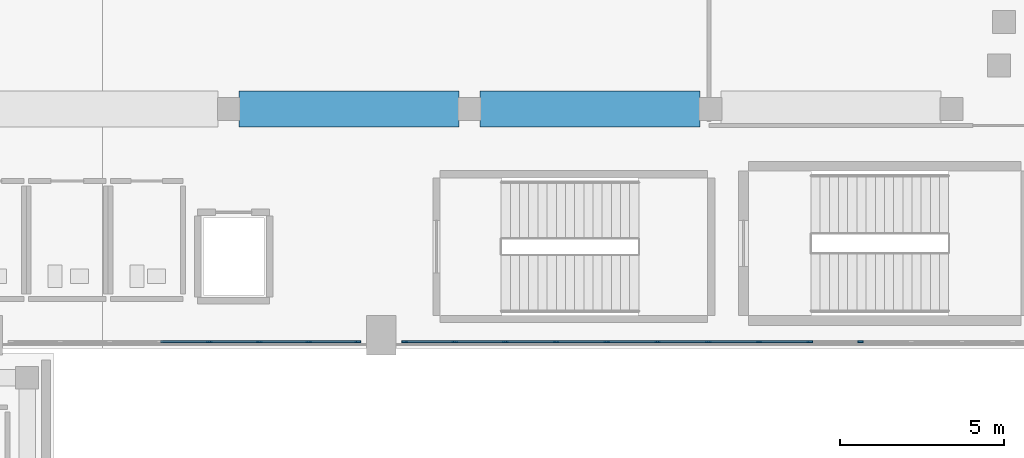
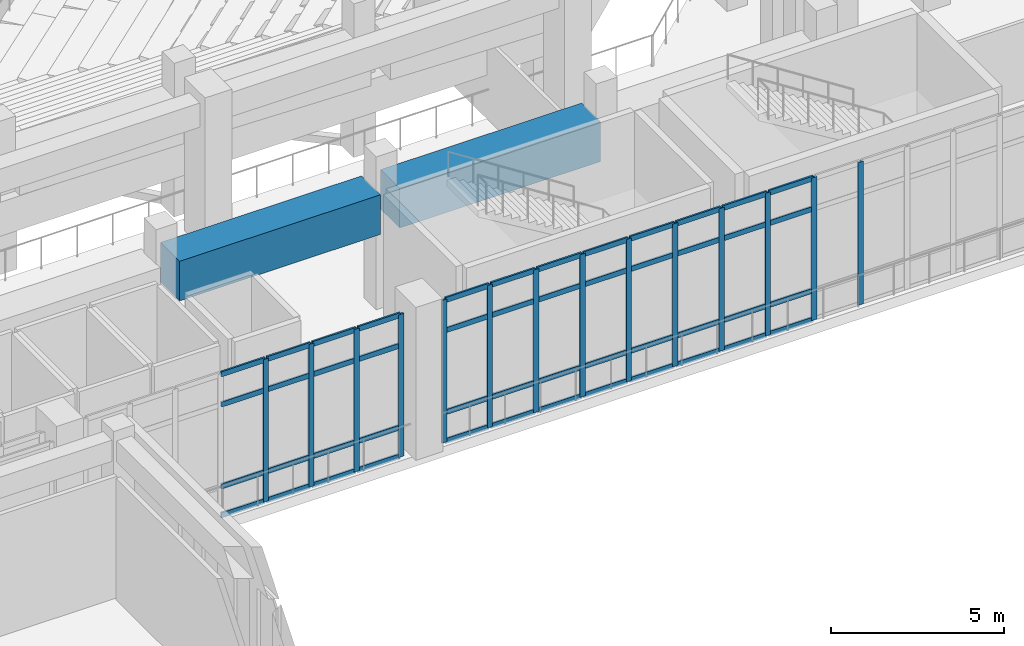
# One storey, part 32 of 159: 62 members, 2 beams, 2 elements without a shape of their own.
"""IFC4 building model written with IfcOpenShell, lengths in metres."""

from ifc_helpers import new_model, si_unit, derived_unit, direction, frame, origin, origin_2d, place, context, subcontext, project, spatial, rectangle, extrude, material, layer, layer_set, material_profile, profile_set, type_object, element, aggregate, save


model = new_model("IFC4")

# Units and contexts
model_context = context("Model", 3, precision=1e-05, world=origin(), true_north=direction((0.0, 1.0)))
body_context = subcontext(model_context, "Body", "Model", "MODEL_VIEW")
ifc_project = project(units=[si_unit("LENGTHUNIT", "METRE"), si_unit("AREAUNIT", "SQUARE_METRE"), si_unit("VOLUMEUNIT", "CUBIC_METRE"), si_unit("PLANEANGLEUNIT", "RADIAN"), si_unit("MASSUNIT", "GRAM", prefix="KILO"), derived_unit("THERMALTRANSMITTANCEUNIT", [(si_unit("MASSUNIT", "GRAM", prefix="KILO"), 1), (si_unit("TIMEUNIT", "SECOND"), -3), (si_unit("THERMODYNAMICTEMPERATUREUNIT", "KELVIN"), -1)])], contexts=[model_context])

# Site, building, storey
site_placement = place(None, origin())
site = spatial("IfcSite", under=ifc_project, at=site_placement, CompositionType="ELEMENT")
building_placement = place(site_placement, origin())
building = spatial("IfcBuilding", under=site, at=building_placement, Name="Valcora Ridge Arena", CompositionType="ELEMENT")
storey_placement = place(building_placement, frame((0.0, 0.0, 6.0)))
storey = spatial("IfcBuildingStorey", under=building, at=storey_placement, Name="L01", CompositionType="ELEMENT", Elevation=6.0)

# Beams
ifc_material_1 = material(Name="Concrete C45/55", Category="concrete")
ifc_material_profile_1 = material_profile(ifc_material_1, rectangle(XDim=1.10009765625, YDim=1.39990234375, at=origin_2d()), Name="RC 1100x1400")
ifc_profile_set_1 = profile_set([ifc_material_profile_1], Name="Concrete C45/55")
beam_type = type_object("IfcBeamType", Name="TY-BEAM-RKR-URING-1200", PredefinedType="USERDEFINED", material=ifc_profile_set_1)
for number, where, z_axis, x_axis, name in (
    (1, (65.669921875, 27.300048828125, 3.47509765625), (1.0, 0.0, 0.0), (0.0, 1.0, 0.0), "RKR-URING-1200 BEM-RU2-RKR-URING-1200-0006"),
    (2, (73.02001953125, 27.300048828125, 3.47509765625), (1.0, 0.0, 0.0), (0.0, 1.0, 0.0), "RKR-URING-1200 BEM-RU2-RKR-URING-1200-0007"),
):
    element("IfcBeam", number, at=place(storey_placement, frame(where, z_axis=z_axis, x_axis=x_axis)), inside=storey, type_object=beam_type, Name=name, ObjectType="RAKER", PredefinedType="USERDEFINED", context=body_context, shape_type="SweptSolid", body=[
        extrude(rectangle(XDim=1.10009765625, YDim=1.39990234375, at=origin_2d()), origin(), (0.0, 0.0, 1.0), 6.7099609375),
    ])

# Curtain wall, members
ifc_material_2 = material(Name="Anodised dark bronze architectural aluminium 6063-T6", Category="aluminium")
ifc_layer_1 = layer(ifc_material_2, 0.179931640625, Name="Anodised dark bronze architectural aluminium 6063-T6")
ifc_layer_set_1 = layer_set([ifc_layer_1], Name="Anodised dark bronze architectural aluminium 6063-T6")
curtain_wall_type_1 = type_object("IfcCurtainWallType", Name="TY-CURTAINWALL-CW-V1-GOTH-106X50", PredefinedType="NOTDEFINED", material=ifc_layer_set_1)
curtain_wall_1_placement = place(storey_placement, origin())
curtain_wall_1 = element("IfcCurtainWall", 3, at=curtain_wall_1_placement, inside=storey, type_object=curtain_wall_type_1, Name="CW-V1-GOTH-106X50 CW-0099", PredefinedType="NOTDEFINED")
ifc_material_profile_2 = material_profile(ifc_material_2, rectangle(XDim=0.06005859375, YDim=0.179931640625, at=origin_2d()), Name="ALU MULLION 60x180")
ifc_profile_set_2 = profile_set([ifc_material_profile_2], Name="Anodised dark bronze architectural aluminium 6063-T6")
member_type_1 = type_object("IfcMemberType", Name="TY-MEM-CWM-60x180", PredefinedType="MULLION", material=ifc_profile_set_2)
member_1_placement = place(storey_placement, frame((64.758544921875, 20.199951171875, 0.0), z_axis=(0.0, 0.0, 1.0), x_axis=(0.0, 1.0, 0.0)))
member_1 = element("IfcMember", 4, at=member_1_placement, type_object=member_type_1, Name="CW-0099/CWM-60x180/M04", PredefinedType="MULLION", context=body_context, shape_type="SweptSolid", body=[
    extrude(rectangle(XDim=0.06005859375, YDim=0.179931640625, at=origin_2d()), origin(), (0.0, 0.0, 1.0), 5.0400390625),
])
member_2_placement = place(storey_placement, frame((66.275634765625, 20.199951171875, 0.0), z_axis=(0.0, 0.0, 1.0), x_axis=(0.0, 1.0, 0.0)))
member_2 = element("IfcMember", 5, at=member_2_placement, type_object=member_type_1, Name="CW-0099/CWM-60x180/M05", PredefinedType="MULLION", context=body_context, shape_type="SweptSolid", body=[
    extrude(rectangle(XDim=0.06005859375, YDim=0.179931640625, at=origin_2d()), origin(), (0.0, 0.0, 1.0), 5.0400390625),
])
member_3_placement = place(storey_placement, frame((67.79296875, 20.199951171875, 0.0), z_axis=(0.0, 0.0, 1.0), x_axis=(0.0, 1.0, 0.0)))
member_3 = element("IfcMember", 6, at=member_3_placement, type_object=member_type_1, Name="CW-0099/CWM-60x180/M06", PredefinedType="MULLION", context=body_context, shape_type="SweptSolid", body=[
    extrude(rectangle(XDim=0.06005859375, YDim=0.179931640625, at=origin_2d()), origin(), (0.0, 0.0, 1.0), 5.0400390625),
])
member_4_placement = place(storey_placement, frame((69.280029296875, 20.199951171875, 0.0), z_axis=(0.0, 0.0, 1.0), x_axis=(0.0, 1.0, 0.0)))
member_4 = element("IfcMember", 7, at=member_4_placement, type_object=member_type_1, Name="CW-0099/CWM-60x180/M07", PredefinedType="MULLION", context=body_context, shape_type="SweptSolid", body=[
    extrude(rectangle(XDim=0.06005859375, YDim=0.179931640625, at=origin_2d()), origin(), (0.0, 0.0, 1.0), 5.0400390625),
])

ifc_layer_2 = layer(ifc_material_2, 0.179931640625, Name="Anodised dark bronze architectural aluminium 6063-T6")
ifc_layer_set_2 = layer_set([ifc_layer_2], Name="Anodised dark bronze architectural aluminium 6063-T6")
curtain_wall_type_2 = type_object("IfcCurtainWallType", Name="TY-CURTAINWALL-CW-V1-GOTH-201X50", PredefinedType="NOTDEFINED", material=ifc_layer_set_2)
curtain_wall_2_placement = place(storey_placement, origin())
curtain_wall_2 = element("IfcCurtainWall", 8, at=curtain_wall_2_placement, inside=storey, type_object=curtain_wall_type_2, Name="CW-V1-GOTH-201X50 CW-0100", PredefinedType="NOTDEFINED")
member_5_placement = place(storey_placement, frame((70.719970703125, 20.199951171875, 0.0), z_axis=(0.0, 0.0, 1.0), x_axis=(0.0, 1.0, 0.0)))
member_5 = element("IfcMember", 9, at=member_5_placement, type_object=member_type_1, Name="CW-0100/CWM-60x180/M00", PredefinedType="MULLION", context=body_context, shape_type="SweptSolid", body=[
    extrude(rectangle(XDim=0.06005859375, YDim=0.179931640625, at=origin_2d()), origin(), (0.0, 0.0, 1.0), 5.0400390625),
])
member_6_placement = place(storey_placement, frame((72.23779296875, 20.199951171875, 0.0), z_axis=(0.0, 0.0, 1.0), x_axis=(0.0, 1.0, 0.0)))
member_6 = element("IfcMember", 10, at=member_6_placement, type_object=member_type_1, Name="CW-0100/CWM-60x180/M01", PredefinedType="MULLION", context=body_context, shape_type="SweptSolid", body=[
    extrude(rectangle(XDim=0.06005859375, YDim=0.179931640625, at=origin_2d()), origin(), (0.0, 0.0, 1.0), 5.0400390625),
])
member_7_placement = place(storey_placement, frame((73.785400390625, 20.199951171875, 0.0), z_axis=(0.0, 0.0, 1.0), x_axis=(0.0, 1.0, 0.0)))
member_7 = element("IfcMember", 11, at=member_7_placement, type_object=member_type_1, Name="CW-0100/CWM-60x180/M02", PredefinedType="MULLION", context=body_context, shape_type="SweptSolid", body=[
    extrude(rectangle(XDim=0.06005859375, YDim=0.179931640625, at=origin_2d()), origin(), (0.0, 0.0, 1.0), 5.0400390625),
])
member_8_placement = place(storey_placement, frame((75.3330078125, 20.199951171875, 0.0), z_axis=(0.0, 0.0, 1.0), x_axis=(0.0, 1.0, 0.0)))
member_8 = element("IfcMember", 12, at=member_8_placement, type_object=member_type_1, Name="CW-0100/CWM-60x180/M03", PredefinedType="MULLION", context=body_context, shape_type="SweptSolid", body=[
    extrude(rectangle(XDim=0.06005859375, YDim=0.179931640625, at=origin_2d()), origin(), (0.0, 0.0, 1.0), 5.0400390625),
])
member_9_placement = place(storey_placement, frame((76.880859375, 20.199951171875, 0.0), z_axis=(0.0, 0.0, 1.0), x_axis=(0.0, 1.0, 0.0)))
member_9 = element("IfcMember", 13, at=member_9_placement, type_object=member_type_1, Name="CW-0100/CWM-60x180/M04", PredefinedType="MULLION", context=body_context, shape_type="SweptSolid", body=[
    extrude(rectangle(XDim=0.06005859375, YDim=0.179931640625, at=origin_2d()), origin(), (0.0, 0.0, 1.0), 5.0400390625),
])
member_10_placement = place(storey_placement, frame((78.428466796875, 20.199951171875, 0.0), z_axis=(0.0, 0.0, 1.0), x_axis=(0.0, 1.0, 0.0)))
member_10 = element("IfcMember", 14, at=member_10_placement, type_object=member_type_1, Name="CW-0100/CWM-60x180/M05", PredefinedType="MULLION", context=body_context, shape_type="SweptSolid", body=[
    extrude(rectangle(XDim=0.06005859375, YDim=0.179931640625, at=origin_2d()), origin(), (0.0, 0.0, 1.0), 5.0400390625),
])
member_11_placement = place(storey_placement, frame((79.976318359375, 20.199951171875, 0.0), z_axis=(0.0, 0.0, 1.0), x_axis=(0.0, 1.0, 0.0)))
member_11 = element("IfcMember", 15, at=member_11_placement, type_object=member_type_1, Name="CW-0100/CWM-60x180/M06", PredefinedType="MULLION", context=body_context, shape_type="SweptSolid", body=[
    extrude(rectangle(XDim=0.06005859375, YDim=0.179931640625, at=origin_2d()), origin(), (0.0, 0.0, 1.0), 5.0400390625),
])
member_12_placement = place(storey_placement, frame((81.523681640625, 20.199951171875, 0.0), z_axis=(0.0, 0.0, 1.0), x_axis=(0.0, 1.0, 0.0)))
member_12 = element("IfcMember", 16, at=member_12_placement, type_object=member_type_1, Name="CW-0100/CWM-60x180/M07", PredefinedType="MULLION", context=body_context, shape_type="SweptSolid", body=[
    extrude(rectangle(XDim=0.06005859375, YDim=0.179931640625, at=origin_2d()), origin(), (0.0, 0.0, 1.0), 5.0400390625),
])
member_13_placement = place(storey_placement, frame((83.071533203125, 20.199951171875, 0.0), z_axis=(0.0, 0.0, 1.0), x_axis=(0.0, 1.0, 0.0)))
member_13 = element("IfcMember", 17, at=member_13_placement, type_object=member_type_1, Name="CW-0100/CWM-60x180/M08", PredefinedType="MULLION", context=body_context, shape_type="SweptSolid", body=[
    extrude(rectangle(XDim=0.06005859375, YDim=0.179931640625, at=origin_2d()), origin(), (0.0, 0.0, 1.0), 5.0400390625),
])
member_14_placement = place(storey_placement, frame((84.619140625, 20.199951171875, 0.0), z_axis=(0.0, 0.0, 1.0), x_axis=(0.0, 1.0, 0.0)))
member_14 = element("IfcMember", 18, at=member_14_placement, type_object=member_type_1, Name="CW-0100/CWM-60x180/M09", PredefinedType="MULLION", context=body_context, shape_type="SweptSolid", body=[
    extrude(rectangle(XDim=0.06005859375, YDim=0.179931640625, at=origin_2d()), origin(), (0.0, 0.0, 1.0), 5.0400390625),
])

# Member
ifc_material_profile_3 = material_profile(ifc_material_2, rectangle(XDim=0.06005859375, YDim=0.179931640625, at=origin_2d()), Name="ALU TRANSOM 60x180")
ifc_profile_set_3 = profile_set([ifc_material_profile_3], Name="Anodised dark bronze architectural aluminium 6063-T6")
member_type_2 = type_object("IfcMemberType", Name="TY-MEM-CWT-60x180", PredefinedType="USERDEFINED", material=ifc_profile_set_3)
member_15_placement = place(storey_placement, frame((63.27099609375, 20.199951171875, 0.030029296875), z_axis=(1.0, 0.0, 0.0), x_axis=(0.0, 1.0, 0.0)))
member_15 = element("IfcMember", 19, at=member_15_placement, type_object=member_type_2, Name="CW-0099/CWT-60x180/T03-00", ObjectType="TRANSOM", PredefinedType="USERDEFINED", context=body_context, shape_type="SweptSolid", body=[
    extrude(rectangle(XDim=0.06005859375, YDim=0.179931640625, at=origin_2d()), origin(), (0.0, 0.0, 1.0), 1.4580078125),
])

member_16_placement = place(storey_placement, frame((63.27099609375, 20.199951171875, 1.050048828125), z_axis=(1.0, 0.0, 0.0), x_axis=(0.0, 1.0, 0.0)))
member_16 = element("IfcMember", 20, at=member_16_placement, type_object=member_type_2, Name="CW-0099/CWT-60x180/T03-01", ObjectType="TRANSOM", PredefinedType="USERDEFINED", context=body_context, shape_type="SweptSolid", body=[
    extrude(rectangle(XDim=0.06005859375, YDim=0.179931640625, at=origin_2d()), origin(), (0.0, 0.0, 1.0), 1.4580078125),
])

member_17_placement = place(storey_placement, frame((63.27099609375, 20.199951171875, 3.93994140625), z_axis=(1.0, 0.0, 0.0), x_axis=(0.0, 1.0, 0.0)))
member_17 = element("IfcMember", 21, at=member_17_placement, type_object=member_type_2, Name="CW-0099/CWT-60x180/T03-02", ObjectType="TRANSOM", PredefinedType="USERDEFINED", context=body_context, shape_type="SweptSolid", body=[
    extrude(rectangle(XDim=0.06005859375, YDim=0.179931640625, at=origin_2d()), origin(), (0.0, 0.0, 1.0), 1.4580078125),
])

member_18_placement = place(storey_placement, frame((63.27099609375, 20.199951171875, 5.010009765625), z_axis=(1.0, 0.0, 0.0), x_axis=(0.0, 1.0, 0.0)))
member_18 = element("IfcMember", 22, at=member_18_placement, type_object=member_type_2, Name="CW-0099/CWT-60x180/T03-03", ObjectType="TRANSOM", PredefinedType="USERDEFINED", context=body_context, shape_type="SweptSolid", body=[
    extrude(rectangle(XDim=0.06005859375, YDim=0.179931640625, at=origin_2d()), origin(), (0.0, 0.0, 1.0), 1.4580078125),
])

member_19_placement = place(storey_placement, frame((64.7890625, 20.199951171875, 0.030029296875), z_axis=(1.0, 0.0, 0.0), x_axis=(0.0, 1.0, 0.0)))
member_19 = element("IfcMember", 23, at=member_19_placement, type_object=member_type_2, Name="CW-0099/CWT-60x180/T04-00", ObjectType="TRANSOM", PredefinedType="USERDEFINED", context=body_context, shape_type="SweptSolid", body=[
    extrude(rectangle(XDim=0.06005859375, YDim=0.179931640625, at=origin_2d()), origin(), (0.0, 0.0, 1.0), 1.45703125),
])

member_20_placement = place(storey_placement, frame((64.7890625, 20.199951171875, 1.050048828125), z_axis=(1.0, 0.0, 0.0), x_axis=(0.0, 1.0, 0.0)))
member_20 = element("IfcMember", 24, at=member_20_placement, type_object=member_type_2, Name="CW-0099/CWT-60x180/T04-01", ObjectType="TRANSOM", PredefinedType="USERDEFINED", context=body_context, shape_type="SweptSolid", body=[
    extrude(rectangle(XDim=0.06005859375, YDim=0.179931640625, at=origin_2d()), origin(), (0.0, 0.0, 1.0), 1.45703125),
])

member_21_placement = place(storey_placement, frame((64.7890625, 20.199951171875, 3.93994140625), z_axis=(1.0, 0.0, 0.0), x_axis=(0.0, 1.0, 0.0)))
member_21 = element("IfcMember", 25, at=member_21_placement, type_object=member_type_2, Name="CW-0099/CWT-60x180/T04-02", ObjectType="TRANSOM", PredefinedType="USERDEFINED", context=body_context, shape_type="SweptSolid", body=[
    extrude(rectangle(XDim=0.06005859375, YDim=0.179931640625, at=origin_2d()), origin(), (0.0, 0.0, 1.0), 1.45703125),
])

member_22_placement = place(storey_placement, frame((64.7890625, 20.199951171875, 5.010009765625), z_axis=(1.0, 0.0, 0.0), x_axis=(0.0, 1.0, 0.0)))
member_22 = element("IfcMember", 26, at=member_22_placement, type_object=member_type_2, Name="CW-0099/CWT-60x180/T04-03", ObjectType="TRANSOM", PredefinedType="USERDEFINED", context=body_context, shape_type="SweptSolid", body=[
    extrude(rectangle(XDim=0.06005859375, YDim=0.179931640625, at=origin_2d()), origin(), (0.0, 0.0, 1.0), 1.45703125),
])

member_23_placement = place(storey_placement, frame((66.305908203125, 20.199951171875, 0.030029296875), z_axis=(1.0, 0.0, 0.0), x_axis=(0.0, 1.0, 0.0)))
member_23 = element("IfcMember", 27, at=member_23_placement, type_object=member_type_2, Name="CW-0099/CWT-60x180/T05-00", ObjectType="TRANSOM", PredefinedType="USERDEFINED", context=body_context, shape_type="SweptSolid", body=[
    extrude(rectangle(XDim=0.06005859375, YDim=0.179931640625, at=origin_2d()), origin(), (0.0, 0.0, 1.0), 1.45703125),
])

member_24_placement = place(storey_placement, frame((66.305908203125, 20.199951171875, 1.050048828125), z_axis=(1.0, 0.0, 0.0), x_axis=(0.0, 1.0, 0.0)))
member_24 = element("IfcMember", 28, at=member_24_placement, type_object=member_type_2, Name="CW-0099/CWT-60x180/T05-01", ObjectType="TRANSOM", PredefinedType="USERDEFINED", context=body_context, shape_type="SweptSolid", body=[
    extrude(rectangle(XDim=0.06005859375, YDim=0.179931640625, at=origin_2d()), origin(), (0.0, 0.0, 1.0), 1.45703125),
])

member_25_placement = place(storey_placement, frame((66.305908203125, 20.199951171875, 3.93994140625), z_axis=(1.0, 0.0, 0.0), x_axis=(0.0, 1.0, 0.0)))
member_25 = element("IfcMember", 29, at=member_25_placement, type_object=member_type_2, Name="CW-0099/CWT-60x180/T05-02", ObjectType="TRANSOM", PredefinedType="USERDEFINED", context=body_context, shape_type="SweptSolid", body=[
    extrude(rectangle(XDim=0.06005859375, YDim=0.179931640625, at=origin_2d()), origin(), (0.0, 0.0, 1.0), 1.45703125),
])

member_26_placement = place(storey_placement, frame((66.305908203125, 20.199951171875, 5.010009765625), z_axis=(1.0, 0.0, 0.0), x_axis=(0.0, 1.0, 0.0)))
member_26 = element("IfcMember", 30, at=member_26_placement, type_object=member_type_2, Name="CW-0099/CWT-60x180/T05-03", ObjectType="TRANSOM", PredefinedType="USERDEFINED", context=body_context, shape_type="SweptSolid", body=[
    extrude(rectangle(XDim=0.06005859375, YDim=0.179931640625, at=origin_2d()), origin(), (0.0, 0.0, 1.0), 1.45703125),
])

member_27_placement = place(storey_placement, frame((67.822998046875, 20.199951171875, 0.030029296875), z_axis=(1.0, 0.0, 0.0), x_axis=(0.0, 1.0, 0.0)))
member_27 = element("IfcMember", 31, at=member_27_placement, type_object=member_type_2, Name="CW-0099/CWT-60x180/T06-00", ObjectType="TRANSOM", PredefinedType="USERDEFINED", context=body_context, shape_type="SweptSolid", body=[
    extrude(rectangle(XDim=0.06005859375, YDim=0.179931640625, at=origin_2d()), origin(), (0.0, 0.0, 1.0), 1.427001953125),
])

member_28_placement = place(storey_placement, frame((67.822998046875, 20.199951171875, 1.050048828125), z_axis=(1.0, 0.0, 0.0), x_axis=(0.0, 1.0, 0.0)))
member_28 = element("IfcMember", 32, at=member_28_placement, type_object=member_type_2, Name="CW-0099/CWT-60x180/T06-01", ObjectType="TRANSOM", PredefinedType="USERDEFINED", context=body_context, shape_type="SweptSolid", body=[
    extrude(rectangle(XDim=0.06005859375, YDim=0.179931640625, at=origin_2d()), origin(), (0.0, 0.0, 1.0), 1.427001953125),
])

member_29_placement = place(storey_placement, frame((67.822998046875, 20.199951171875, 3.93994140625), z_axis=(1.0, 0.0, 0.0), x_axis=(0.0, 1.0, 0.0)))
member_29 = element("IfcMember", 33, at=member_29_placement, type_object=member_type_2, Name="CW-0099/CWT-60x180/T06-02", ObjectType="TRANSOM", PredefinedType="USERDEFINED", context=body_context, shape_type="SweptSolid", body=[
    extrude(rectangle(XDim=0.06005859375, YDim=0.179931640625, at=origin_2d()), origin(), (0.0, 0.0, 1.0), 1.427001953125),
])

member_30_placement = place(storey_placement, frame((67.822998046875, 20.199951171875, 5.010009765625), z_axis=(1.0, 0.0, 0.0), x_axis=(0.0, 1.0, 0.0)))
member_30 = element("IfcMember", 34, at=member_30_placement, type_object=member_type_2, Name="CW-0099/CWT-60x180/T06-03", ObjectType="TRANSOM", PredefinedType="USERDEFINED", context=body_context, shape_type="SweptSolid", body=[
    extrude(rectangle(XDim=0.06005859375, YDim=0.179931640625, at=origin_2d()), origin(), (0.0, 0.0, 1.0), 1.427001953125),
])

aggregate(curtain_wall_1, [member_1, member_2, member_3, member_4, member_15, member_16, member_17, member_18, member_19, member_20, member_21, member_22, member_23, member_24, member_25, member_26, member_27, member_28, member_29, member_30])

member_31_placement = place(storey_placement, frame((70.75, 20.199951171875, 0.030029296875), z_axis=(1.0, 0.0, 0.0), x_axis=(0.0, 1.0, 0.0)))
member_31 = element("IfcMember", 35, at=member_31_placement, type_object=member_type_2, Name="CW-0100/CWT-60x180/T00-00", ObjectType="TRANSOM", PredefinedType="USERDEFINED", context=body_context, shape_type="SweptSolid", body=[
    extrude(rectangle(XDim=0.06005859375, YDim=0.179931640625, at=origin_2d()), origin(), (0.0, 0.0, 1.0), 1.4580078125),
])

member_32_placement = place(storey_placement, frame((70.75, 20.199951171875, 1.050048828125), z_axis=(1.0, 0.0, 0.0), x_axis=(0.0, 1.0, 0.0)))
member_32 = element("IfcMember", 36, at=member_32_placement, type_object=member_type_2, Name="CW-0100/CWT-60x180/T00-01", ObjectType="TRANSOM", PredefinedType="USERDEFINED", context=body_context, shape_type="SweptSolid", body=[
    extrude(rectangle(XDim=0.06005859375, YDim=0.179931640625, at=origin_2d()), origin(), (0.0, 0.0, 1.0), 1.4580078125),
])

member_33_placement = place(storey_placement, frame((70.75, 20.199951171875, 3.93994140625), z_axis=(1.0, 0.0, 0.0), x_axis=(0.0, 1.0, 0.0)))
member_33 = element("IfcMember", 37, at=member_33_placement, type_object=member_type_2, Name="CW-0100/CWT-60x180/T00-02", ObjectType="TRANSOM", PredefinedType="USERDEFINED", context=body_context, shape_type="SweptSolid", body=[
    extrude(rectangle(XDim=0.06005859375, YDim=0.179931640625, at=origin_2d()), origin(), (0.0, 0.0, 1.0), 1.4580078125),
])

member_34_placement = place(storey_placement, frame((70.75, 20.199951171875, 5.010009765625), z_axis=(1.0, 0.0, 0.0), x_axis=(0.0, 1.0, 0.0)))
member_34 = element("IfcMember", 38, at=member_34_placement, type_object=member_type_2, Name="CW-0100/CWT-60x180/T00-03", ObjectType="TRANSOM", PredefinedType="USERDEFINED", context=body_context, shape_type="SweptSolid", body=[
    extrude(rectangle(XDim=0.06005859375, YDim=0.179931640625, at=origin_2d()), origin(), (0.0, 0.0, 1.0), 1.4580078125),
])

member_35_placement = place(storey_placement, frame((72.26806640625, 20.199951171875, 0.030029296875), z_axis=(1.0, 0.0, 0.0), x_axis=(0.0, 1.0, 0.0)))
member_35 = element("IfcMember", 39, at=member_35_placement, type_object=member_type_2, Name="CW-0100/CWT-60x180/T01-00", ObjectType="TRANSOM", PredefinedType="USERDEFINED", context=body_context, shape_type="SweptSolid", body=[
    extrude(rectangle(XDim=0.06005859375, YDim=0.179931640625, at=origin_2d()), origin(), (0.0, 0.0, 1.0), 1.48681640625),
])

member_36_placement = place(storey_placement, frame((72.26806640625, 20.199951171875, 1.050048828125), z_axis=(1.0, 0.0, 0.0), x_axis=(0.0, 1.0, 0.0)))
member_36 = element("IfcMember", 40, at=member_36_placement, type_object=member_type_2, Name="CW-0100/CWT-60x180/T01-01", ObjectType="TRANSOM", PredefinedType="USERDEFINED", context=body_context, shape_type="SweptSolid", body=[
    extrude(rectangle(XDim=0.06005859375, YDim=0.179931640625, at=origin_2d()), origin(), (0.0, 0.0, 1.0), 1.48681640625),
])

member_37_placement = place(storey_placement, frame((72.26806640625, 20.199951171875, 3.93994140625), z_axis=(1.0, 0.0, 0.0), x_axis=(0.0, 1.0, 0.0)))
member_37 = element("IfcMember", 41, at=member_37_placement, type_object=member_type_2, Name="CW-0100/CWT-60x180/T01-02", ObjectType="TRANSOM", PredefinedType="USERDEFINED", context=body_context, shape_type="SweptSolid", body=[
    extrude(rectangle(XDim=0.06005859375, YDim=0.179931640625, at=origin_2d()), origin(), (0.0, 0.0, 1.0), 1.48681640625),
])

member_38_placement = place(storey_placement, frame((72.26806640625, 20.199951171875, 5.010009765625), z_axis=(1.0, 0.0, 0.0), x_axis=(0.0, 1.0, 0.0)))
member_38 = element("IfcMember", 42, at=member_38_placement, type_object=member_type_2, Name="CW-0100/CWT-60x180/T01-03", ObjectType="TRANSOM", PredefinedType="USERDEFINED", context=body_context, shape_type="SweptSolid", body=[
    extrude(rectangle(XDim=0.06005859375, YDim=0.179931640625, at=origin_2d()), origin(), (0.0, 0.0, 1.0), 1.48681640625),
])

member_39_placement = place(storey_placement, frame((73.81494140625, 20.199951171875, 0.030029296875), z_axis=(1.0, 0.0, 0.0), x_axis=(0.0, 1.0, 0.0)))
member_39 = element("IfcMember", 43, at=member_39_placement, type_object=member_type_2, Name="CW-0100/CWT-60x180/T02-00", ObjectType="TRANSOM", PredefinedType="USERDEFINED", context=body_context, shape_type="SweptSolid", body=[
    extrude(rectangle(XDim=0.06005859375, YDim=0.179931640625, at=origin_2d()), origin(), (0.0, 0.0, 1.0), 1.488037109375),
])

member_40_placement = place(storey_placement, frame((73.81494140625, 20.199951171875, 1.050048828125), z_axis=(1.0, 0.0, 0.0), x_axis=(0.0, 1.0, 0.0)))
member_40 = element("IfcMember", 44, at=member_40_placement, type_object=member_type_2, Name="CW-0100/CWT-60x180/T02-01", ObjectType="TRANSOM", PredefinedType="USERDEFINED", context=body_context, shape_type="SweptSolid", body=[
    extrude(rectangle(XDim=0.06005859375, YDim=0.179931640625, at=origin_2d()), origin(), (0.0, 0.0, 1.0), 1.488037109375),
])

member_41_placement = place(storey_placement, frame((73.81494140625, 20.199951171875, 3.93994140625), z_axis=(1.0, 0.0, 0.0), x_axis=(0.0, 1.0, 0.0)))
member_41 = element("IfcMember", 45, at=member_41_placement, type_object=member_type_2, Name="CW-0100/CWT-60x180/T02-02", ObjectType="TRANSOM", PredefinedType="USERDEFINED", context=body_context, shape_type="SweptSolid", body=[
    extrude(rectangle(XDim=0.06005859375, YDim=0.179931640625, at=origin_2d()), origin(), (0.0, 0.0, 1.0), 1.488037109375),
])

member_42_placement = place(storey_placement, frame((73.81494140625, 20.199951171875, 5.010009765625), z_axis=(1.0, 0.0, 0.0), x_axis=(0.0, 1.0, 0.0)))
member_42 = element("IfcMember", 46, at=member_42_placement, type_object=member_type_2, Name="CW-0100/CWT-60x180/T02-03", ObjectType="TRANSOM", PredefinedType="USERDEFINED", context=body_context, shape_type="SweptSolid", body=[
    extrude(rectangle(XDim=0.06005859375, YDim=0.179931640625, at=origin_2d()), origin(), (0.0, 0.0, 1.0), 1.488037109375),
])

member_43_placement = place(storey_placement, frame((75.363037109375, 20.199951171875, 0.030029296875), z_axis=(1.0, 0.0, 0.0), x_axis=(0.0, 1.0, 0.0)))
member_43 = element("IfcMember", 47, at=member_43_placement, type_object=member_type_2, Name="CW-0100/CWT-60x180/T03-00", ObjectType="TRANSOM", PredefinedType="USERDEFINED", context=body_context, shape_type="SweptSolid", body=[
    extrude(rectangle(XDim=0.06005859375, YDim=0.179931640625, at=origin_2d()), origin(), (0.0, 0.0, 1.0), 1.488037109375),
])

member_44_placement = place(storey_placement, frame((75.363037109375, 20.199951171875, 1.050048828125), z_axis=(1.0, 0.0, 0.0), x_axis=(0.0, 1.0, 0.0)))
member_44 = element("IfcMember", 48, at=member_44_placement, type_object=member_type_2, Name="CW-0100/CWT-60x180/T03-01", ObjectType="TRANSOM", PredefinedType="USERDEFINED", context=body_context, shape_type="SweptSolid", body=[
    extrude(rectangle(XDim=0.06005859375, YDim=0.179931640625, at=origin_2d()), origin(), (0.0, 0.0, 1.0), 1.488037109375),
])

member_45_placement = place(storey_placement, frame((75.363037109375, 20.199951171875, 3.93994140625), z_axis=(1.0, 0.0, 0.0), x_axis=(0.0, 1.0, 0.0)))
member_45 = element("IfcMember", 49, at=member_45_placement, type_object=member_type_2, Name="CW-0100/CWT-60x180/T03-02", ObjectType="TRANSOM", PredefinedType="USERDEFINED", context=body_context, shape_type="SweptSolid", body=[
    extrude(rectangle(XDim=0.06005859375, YDim=0.179931640625, at=origin_2d()), origin(), (0.0, 0.0, 1.0), 1.488037109375),
])

member_46_placement = place(storey_placement, frame((75.363037109375, 20.199951171875, 5.010009765625), z_axis=(1.0, 0.0, 0.0), x_axis=(0.0, 1.0, 0.0)))
member_46 = element("IfcMember", 50, at=member_46_placement, type_object=member_type_2, Name="CW-0100/CWT-60x180/T03-03", ObjectType="TRANSOM", PredefinedType="USERDEFINED", context=body_context, shape_type="SweptSolid", body=[
    extrude(rectangle(XDim=0.06005859375, YDim=0.179931640625, at=origin_2d()), origin(), (0.0, 0.0, 1.0), 1.488037109375),
])

member_47_placement = place(storey_placement, frame((76.910888671875, 20.199951171875, 0.030029296875), z_axis=(1.0, 0.0, 0.0), x_axis=(0.0, 1.0, 0.0)))
member_47 = element("IfcMember", 51, at=member_47_placement, type_object=member_type_2, Name="CW-0100/CWT-60x180/T04-00", ObjectType="TRANSOM", PredefinedType="USERDEFINED", context=body_context, shape_type="SweptSolid", body=[
    extrude(rectangle(XDim=0.06005859375, YDim=0.179931640625, at=origin_2d()), origin(), (0.0, 0.0, 1.0), 1.487060546875),
])

member_48_placement = place(storey_placement, frame((76.910888671875, 20.199951171875, 1.050048828125), z_axis=(1.0, 0.0, 0.0), x_axis=(0.0, 1.0, 0.0)))
member_48 = element("IfcMember", 52, at=member_48_placement, type_object=member_type_2, Name="CW-0100/CWT-60x180/T04-01", ObjectType="TRANSOM", PredefinedType="USERDEFINED", context=body_context, shape_type="SweptSolid", body=[
    extrude(rectangle(XDim=0.06005859375, YDim=0.179931640625, at=origin_2d()), origin(), (0.0, 0.0, 1.0), 1.487060546875),
])

member_49_placement = place(storey_placement, frame((76.910888671875, 20.199951171875, 3.93994140625), z_axis=(1.0, 0.0, 0.0), x_axis=(0.0, 1.0, 0.0)))
member_49 = element("IfcMember", 53, at=member_49_placement, type_object=member_type_2, Name="CW-0100/CWT-60x180/T04-02", ObjectType="TRANSOM", PredefinedType="USERDEFINED", context=body_context, shape_type="SweptSolid", body=[
    extrude(rectangle(XDim=0.06005859375, YDim=0.179931640625, at=origin_2d()), origin(), (0.0, 0.0, 1.0), 1.487060546875),
])

member_50_placement = place(storey_placement, frame((76.910888671875, 20.199951171875, 5.010009765625), z_axis=(1.0, 0.0, 0.0), x_axis=(0.0, 1.0, 0.0)))
member_50 = element("IfcMember", 54, at=member_50_placement, type_object=member_type_2, Name="CW-0100/CWT-60x180/T04-03", ObjectType="TRANSOM", PredefinedType="USERDEFINED", context=body_context, shape_type="SweptSolid", body=[
    extrude(rectangle(XDim=0.06005859375, YDim=0.179931640625, at=origin_2d()), origin(), (0.0, 0.0, 1.0), 1.487060546875),
])

member_51_placement = place(storey_placement, frame((78.4580078125, 20.199951171875, 0.030029296875), z_axis=(1.0, 0.0, 0.0), x_axis=(0.0, 1.0, 0.0)))
member_51 = element("IfcMember", 55, at=member_51_placement, type_object=member_type_2, Name="CW-0100/CWT-60x180/T05-00", ObjectType="TRANSOM", PredefinedType="USERDEFINED", context=body_context, shape_type="SweptSolid", body=[
    extrude(rectangle(XDim=0.06005859375, YDim=0.179931640625, at=origin_2d()), origin(), (0.0, 0.0, 1.0), 1.488037109375),
])

member_52_placement = place(storey_placement, frame((78.4580078125, 20.199951171875, 1.050048828125), z_axis=(1.0, 0.0, 0.0), x_axis=(0.0, 1.0, 0.0)))
member_52 = element("IfcMember", 56, at=member_52_placement, type_object=member_type_2, Name="CW-0100/CWT-60x180/T05-01", ObjectType="TRANSOM", PredefinedType="USERDEFINED", context=body_context, shape_type="SweptSolid", body=[
    extrude(rectangle(XDim=0.06005859375, YDim=0.179931640625, at=origin_2d()), origin(), (0.0, 0.0, 1.0), 1.488037109375),
])

member_53_placement = place(storey_placement, frame((78.4580078125, 20.199951171875, 3.93994140625), z_axis=(1.0, 0.0, 0.0), x_axis=(0.0, 1.0, 0.0)))
member_53 = element("IfcMember", 57, at=member_53_placement, type_object=member_type_2, Name="CW-0100/CWT-60x180/T05-02", ObjectType="TRANSOM", PredefinedType="USERDEFINED", context=body_context, shape_type="SweptSolid", body=[
    extrude(rectangle(XDim=0.06005859375, YDim=0.179931640625, at=origin_2d()), origin(), (0.0, 0.0, 1.0), 1.488037109375),
])

member_54_placement = place(storey_placement, frame((78.4580078125, 20.199951171875, 5.010009765625), z_axis=(1.0, 0.0, 0.0), x_axis=(0.0, 1.0, 0.0)))
member_54 = element("IfcMember", 58, at=member_54_placement, type_object=member_type_2, Name="CW-0100/CWT-60x180/T05-03", ObjectType="TRANSOM", PredefinedType="USERDEFINED", context=body_context, shape_type="SweptSolid", body=[
    extrude(rectangle(XDim=0.06005859375, YDim=0.179931640625, at=origin_2d()), origin(), (0.0, 0.0, 1.0), 1.488037109375),
])

member_55_placement = place(storey_placement, frame((80.006103515625, 20.199951171875, 0.030029296875), z_axis=(1.0, 0.0, 0.0), x_axis=(0.0, 1.0, 0.0)))
member_55 = element("IfcMember", 59, at=member_55_placement, type_object=member_type_2, Name="CW-0100/CWT-60x180/T06-00", ObjectType="TRANSOM", PredefinedType="USERDEFINED", context=body_context, shape_type="SweptSolid", body=[
    extrude(rectangle(XDim=0.06005859375, YDim=0.179931640625, at=origin_2d()), origin(), (0.0, 0.0, 1.0), 1.48779296875),
])

member_56_placement = place(storey_placement, frame((80.006103515625, 20.199951171875, 1.050048828125), z_axis=(1.0, 0.0, 0.0), x_axis=(0.0, 1.0, 0.0)))
member_56 = element("IfcMember", 60, at=member_56_placement, type_object=member_type_2, Name="CW-0100/CWT-60x180/T06-01", ObjectType="TRANSOM", PredefinedType="USERDEFINED", context=body_context, shape_type="SweptSolid", body=[
    extrude(rectangle(XDim=0.06005859375, YDim=0.179931640625, at=origin_2d()), origin(), (0.0, 0.0, 1.0), 1.48779296875),
])

member_57_placement = place(storey_placement, frame((80.006103515625, 20.199951171875, 3.93994140625), z_axis=(1.0, 0.0, 0.0), x_axis=(0.0, 1.0, 0.0)))
member_57 = element("IfcMember", 61, at=member_57_placement, type_object=member_type_2, Name="CW-0100/CWT-60x180/T06-02", ObjectType="TRANSOM", PredefinedType="USERDEFINED", context=body_context, shape_type="SweptSolid", body=[
    extrude(rectangle(XDim=0.06005859375, YDim=0.179931640625, at=origin_2d()), origin(), (0.0, 0.0, 1.0), 1.48779296875),
])

member_58_placement = place(storey_placement, frame((80.006103515625, 20.199951171875, 5.010009765625), z_axis=(1.0, 0.0, 0.0), x_axis=(0.0, 1.0, 0.0)))
member_58 = element("IfcMember", 62, at=member_58_placement, type_object=member_type_2, Name="CW-0100/CWT-60x180/T06-03", ObjectType="TRANSOM", PredefinedType="USERDEFINED", context=body_context, shape_type="SweptSolid", body=[
    extrude(rectangle(XDim=0.06005859375, YDim=0.179931640625, at=origin_2d()), origin(), (0.0, 0.0, 1.0), 1.48779296875),
])

member_59_placement = place(storey_placement, frame((81.553955078125, 20.199951171875, 0.030029296875), z_axis=(1.0, 0.0, 0.0), x_axis=(0.0, 1.0, 0.0)))
member_59 = element("IfcMember", 63, at=member_59_placement, type_object=member_type_2, Name="CW-0100/CWT-60x180/T07-00", ObjectType="TRANSOM", PredefinedType="USERDEFINED", context=body_context, shape_type="SweptSolid", body=[
    extrude(rectangle(XDim=0.06005859375, YDim=0.179931640625, at=origin_2d()), origin(), (0.0, 0.0, 1.0), 1.488037109375),
])

member_60_placement = place(storey_placement, frame((81.553955078125, 20.199951171875, 1.050048828125), z_axis=(1.0, 0.0, 0.0), x_axis=(0.0, 1.0, 0.0)))
member_60 = element("IfcMember", 64, at=member_60_placement, type_object=member_type_2, Name="CW-0100/CWT-60x180/T07-01", ObjectType="TRANSOM", PredefinedType="USERDEFINED", context=body_context, shape_type="SweptSolid", body=[
    extrude(rectangle(XDim=0.06005859375, YDim=0.179931640625, at=origin_2d()), origin(), (0.0, 0.0, 1.0), 1.488037109375),
])

member_61_placement = place(storey_placement, frame((81.553955078125, 20.199951171875, 3.93994140625), z_axis=(1.0, 0.0, 0.0), x_axis=(0.0, 1.0, 0.0)))
member_61 = element("IfcMember", 65, at=member_61_placement, type_object=member_type_2, Name="CW-0100/CWT-60x180/T07-02", ObjectType="TRANSOM", PredefinedType="USERDEFINED", context=body_context, shape_type="SweptSolid", body=[
    extrude(rectangle(XDim=0.06005859375, YDim=0.179931640625, at=origin_2d()), origin(), (0.0, 0.0, 1.0), 1.488037109375),
])

member_62_placement = place(storey_placement, frame((81.553955078125, 20.199951171875, 5.010009765625), z_axis=(1.0, 0.0, 0.0), x_axis=(0.0, 1.0, 0.0)))
member_62 = element("IfcMember", 66, at=member_62_placement, type_object=member_type_2, Name="CW-0100/CWT-60x180/T07-03", ObjectType="TRANSOM", PredefinedType="USERDEFINED", context=body_context, shape_type="SweptSolid", body=[
    extrude(rectangle(XDim=0.06005859375, YDim=0.179931640625, at=origin_2d()), origin(), (0.0, 0.0, 1.0), 1.488037109375),
])

aggregate(curtain_wall_2, [member_5, member_6, member_7, member_8, member_9, member_10, member_11, member_12, member_13, member_14, member_31, member_32, member_33, member_34, member_35, member_36, member_37, member_38, member_39, member_40, member_41, member_42, member_43, member_44, member_45, member_46, member_47, member_48, member_49, member_50, member_51, member_52, member_53, member_54, member_55, member_56, member_57, member_58, member_59, member_60, member_61, member_62])

save(model, "model.ifc")
